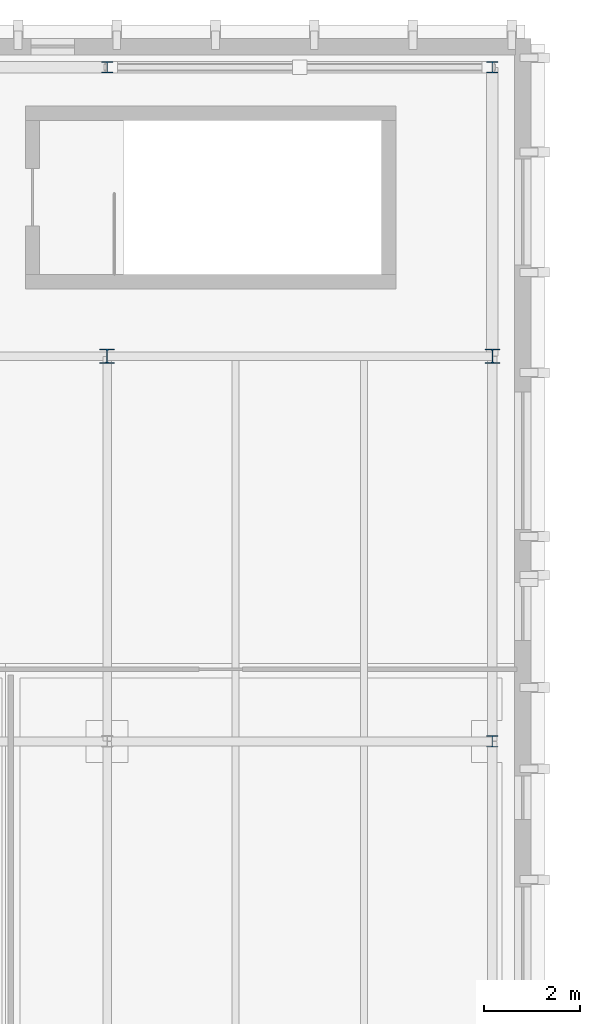
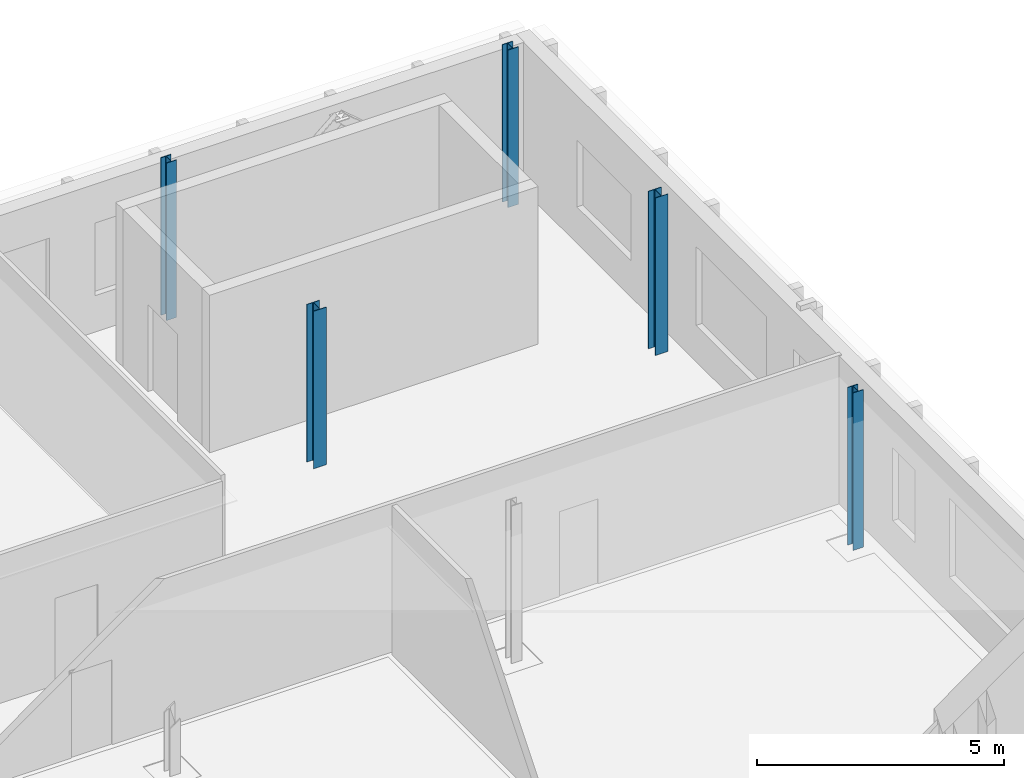
# One storey, part 5 of 40: 5 columns.
"""IFC4 building model written with IfcOpenShell, lengths in metres."""

from ifc_helpers import new_model, si_unit, direction, frame, origin, origin_2d, place, context, subcontext, project, spatial, i_section, extrude, material, material_profile, profile_set, type_object, element, save


model = new_model("IFC4")

# Units and contexts
model_context = context("Model", 3, precision=1e-05, world=origin(), true_north=direction((0.0, 1.0)))
body_context = subcontext(model_context, "Body", "Model", "MODEL_VIEW")
ifc_project = project(units=[si_unit("LENGTHUNIT", "METRE"), si_unit("AREAUNIT", "SQUARE_METRE"), si_unit("VOLUMEUNIT", "CUBIC_METRE"), si_unit("PLANEANGLEUNIT", "RADIAN"), si_unit("MASSUNIT", "GRAM", prefix="KILO")], contexts=[model_context])

# Site, building, storey
site_placement = place(None, origin())
site = spatial("IfcSite", under=ifc_project, at=site_placement, CompositionType="ELEMENT")
building_placement = place(site_placement, origin())
building = spatial("IfcBuilding", under=site, at=building_placement, Name="Cymarion Research Institute", CompositionType="ELEMENT")
storey_placement = place(building_placement, frame((0.0, 0.0, 26.699951171875)))
storey = spatial("IfcBuildingStorey", under=building, at=storey_placement, Name="L06", CompositionType="ELEMENT", Elevation=26.699951171875)

# Columns
ifc_material = material(Name="Steel S355", Category="steel")
ifc_material_profile_1 = material_profile(ifc_material, i_section(OverallWidth=0.239990234375, OverallDepth=0.239990234375, WebThickness=0.010009765625, FlangeThickness=0.01708984375, FilletRadius=0.02099609375, at=origin_2d()), Name="HEB 240")
ifc_profile_set_1 = profile_set([ifc_material_profile_1], Name="Steel S355")
column_type_1 = type_object("IfcColumnType", Name="STRUCTURAL COLUMN C10 HEB 240", PredefinedType="COLUMN", material=ifc_profile_set_1)
for number, where, z_axis, x_axis, name in (
    (1, (38.60009765625, 115.5, 0.0), (0.0, 0.0, 1.0), (1.0, 0.0, 0.0), "L06 V5 column C10 #1211"),
    (2, (46.60009765625, 101.5, 0.0), (0.0, 0.0, 1.0), (1.0, 0.0, 0.0), "L06 V5 column C10 #1216"),
    (3, (46.60009765625, 115.5, 0.0), (0.0, 0.0, 1.0), (1.0, 0.0, 0.0), "L06 V5 column C10 #1218"),
):
    element("IfcColumn", number, at=place(storey_placement, frame(where, z_axis=z_axis, x_axis=x_axis)), inside=storey, type_object=column_type_1, Name=name, PredefinedType="COLUMN", context=body_context, shape_type="SweptSolid", body=[
        extrude(i_section(OverallWidth=0.239990234375, OverallDepth=0.239990234375, WebThickness=0.010009765625, FlangeThickness=0.01708984375, FilletRadius=0.02099609375, at=origin_2d()), origin(), (0.0, 0.0, 1.0), 3.900146484375),
    ])
ifc_material_profile_2 = material_profile(ifc_material, i_section(OverallWidth=0.300048828125, OverallDepth=0.2900390625, WebThickness=0.008544921875, FlangeThickness=0.013916015625, FilletRadius=0.027099609375, at=origin_2d()), Name="HEA 300")
ifc_profile_set_2 = profile_set([ifc_material_profile_2], Name="Steel S355")
column_type_2 = type_object("IfcColumnType", Name="STRUCTURAL COLUMN C13 HEA 300", PredefinedType="COLUMN", material=ifc_profile_set_2)
for number, where, z_axis, x_axis, name in (
    (4, (38.60009765625, 109.5, 0.0), (0.0, 0.0, 1.0), (1.0, 0.0, 0.0), "L06 V5 column C13 #1210"),
    (5, (46.60009765625, 109.5, 0.0), (0.0, 0.0, 1.0), (1.0, 0.0, 0.0), "L06 V5 column C13 #1217"),
):
    element("IfcColumn", number, at=place(storey_placement, frame(where, z_axis=z_axis, x_axis=x_axis)), inside=storey, type_object=column_type_2, Name=name, PredefinedType="COLUMN", context=body_context, shape_type="SweptSolid", body=[
        extrude(i_section(OverallWidth=0.300048828125, OverallDepth=0.2900390625, WebThickness=0.008544921875, FlangeThickness=0.013916015625, FilletRadius=0.027099609375, at=origin_2d()), origin(), (0.0, 0.0, 1.0), 3.900146484375),
    ])

save(model, "model.ifc")
